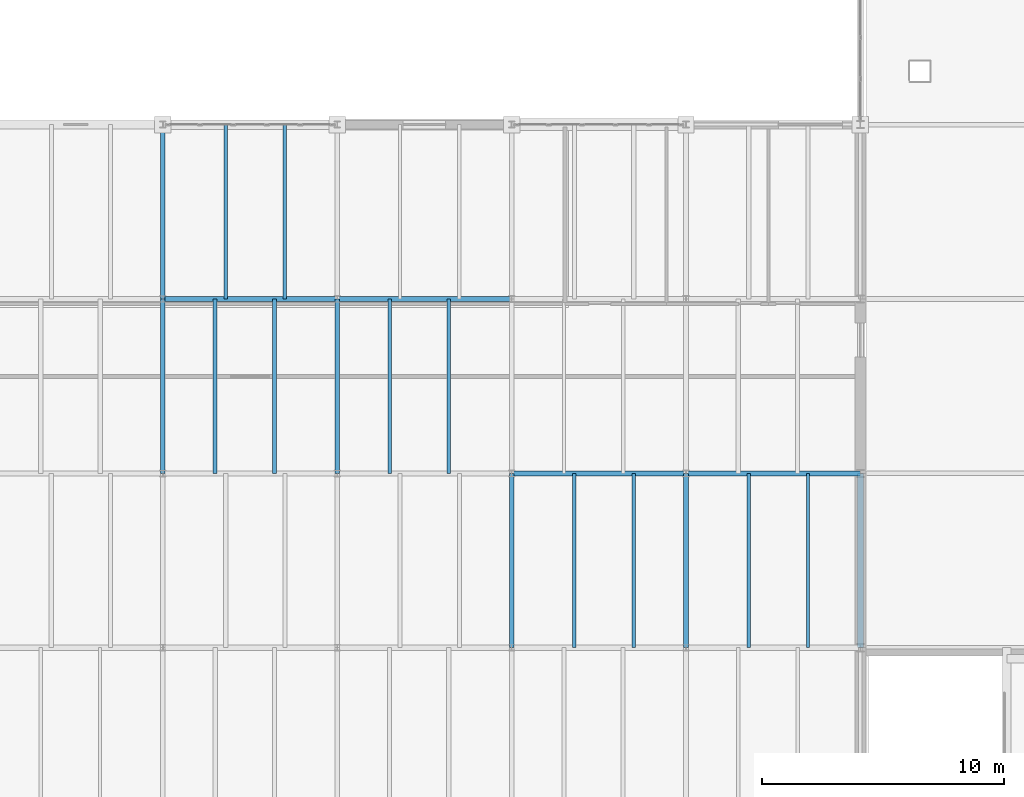
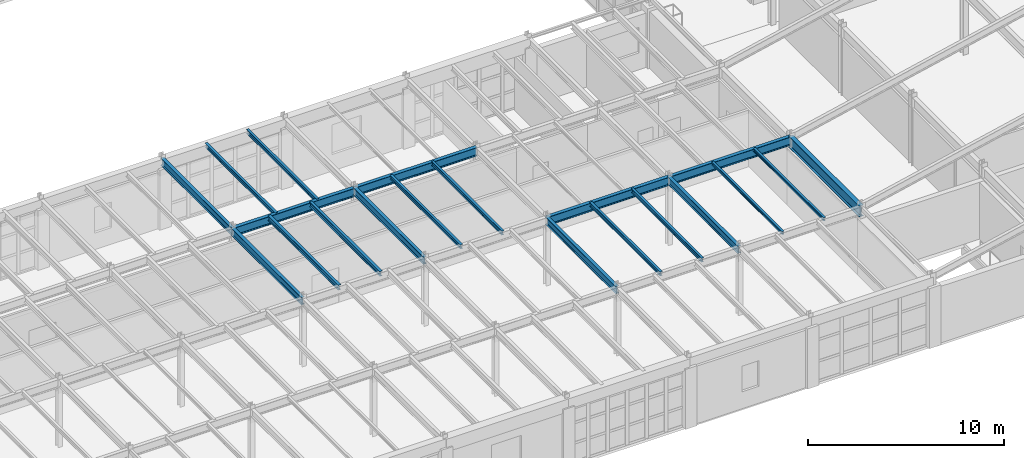
# One storey, part 71 of 137: 20 beams.
"""IFC4 building model written with IfcOpenShell, lengths in metres."""

from ifc_helpers import new_model, si_unit, direction, frame, origin, origin_2d, place, context, subcontext, project, spatial, i_section, extrude, material, material_profile, profile_set, type_object, element, save


model = new_model("IFC4")

# Units and contexts
model_context = context("Model", 3, precision=1e-05, world=origin(), true_north=direction((0.0, 1.0)))
body_context = subcontext(model_context, "Body", "Model", "MODEL_VIEW")
ifc_project = project(units=[si_unit("LENGTHUNIT", "METRE"), si_unit("AREAUNIT", "SQUARE_METRE"), si_unit("VOLUMEUNIT", "CUBIC_METRE"), si_unit("PLANEANGLEUNIT", "RADIAN"), si_unit("MASSUNIT", "GRAM", prefix="KILO")], contexts=[model_context])

# Site, building, storey
site_placement = place(None, origin())
site = spatial("IfcSite", under=ifc_project, at=site_placement, CompositionType="ELEMENT")
building_placement = place(site_placement, origin())
building = spatial("IfcBuilding", under=site, at=building_placement, Name="Kemerveld Promenade Tramway Depot", CompositionType="ELEMENT")
storey_placement = place(building_placement, frame((0.0, 0.0, 5.39990234375)))
storey = spatial("IfcBuildingStorey", under=building, at=storey_placement, Name="L01", CompositionType="ELEMENT", Elevation=5.39990234375)

# Beams
ifc_material = material(Name="Steel S355", Category="steel")
ifc_material_profile_1 = material_profile(ifc_material, i_section(OverallWidth=0.25439453125, OverallDepth=0.6875, WebThickness=0.01318359375, FlangeThickness=0.02099609375, FilletRadius=0.01513671875, at=origin_2d()), Name="686x254x152 UB")
ifc_profile_set_1 = profile_set([ifc_material_profile_1], Name="Steel S355")
beam_type_1 = type_object("IfcBeamType", Name="BM-G03", PredefinedType="BEAM", material=ifc_profile_set_1)
beam_1_placement = place(storey_placement, frame((158.39990234375, 7.199951171875, 3.91650390625), z_axis=(0.0, 1.0, 0.0), x_axis=(-1.0, 0.0, 0.0)))
element("IfcBeam", 1, at=beam_1_placement, inside=storey, type_object=beam_type_1, Name="BMY-L01-23-B-C", PredefinedType="BEAM", context=body_context, shape_type="SweptSolid", body=[
    extrude(i_section(OverallWidth=0.25439453125, OverallDepth=0.6875, WebThickness=0.01318359375, FlangeThickness=0.02099609375, FilletRadius=0.01513671875, at=origin_2d()), origin(), (0.0, 0.0, 1.0), 7.199951171875),
])
ifc_material_profile_2 = material_profile(ifc_material, i_section(OverallWidth=0.2099609375, OverallDepth=0.53662109375, WebThickness=0.0107421875, FlangeThickness=0.017333984375, FilletRadius=0.0126953125, at=origin_2d()), Name="533x210x101 UB")
ifc_profile_set_2 = profile_set([ifc_material_profile_2], Name="Steel S355")
beam_type_2 = type_object("IfcBeamType", Name="BM-G05", PredefinedType="BEAM", material=ifc_profile_set_2)
for number, where, z_axis, x_axis, name in (
    (2, (144.0, 14.39990234375, 3.99169921875), (1.0, 0.0, 0.0), (0.0, 1.0, 0.0), "BMX-L01-21-22-C"),
    (3, (151.199951171875, 14.39990234375, 3.99169921875), (1.0, 0.0, 0.0), (0.0, 1.0, 0.0), "BMX-L01-22-23-C"),
    (4, (129.60009765625, 21.60009765625, 3.981689453125), (1.0, 0.0, 0.0), (0.0, 1.0, 0.0), "BMX-L01-19-20-D"),
    (5, (136.800048828125, 21.60009765625, 3.99169921875), (1.0, 0.0, 0.0), (0.0, 1.0, 0.0), "BMX-L01-20-21-D"),
):
    element("IfcBeam", number, at=place(storey_placement, frame(where, z_axis=z_axis, x_axis=x_axis)), inside=storey, type_object=beam_type_2, Name=name, PredefinedType="BEAM", context=body_context, shape_type="SweptSolid", body=[
        extrude(i_section(OverallWidth=0.2099609375, OverallDepth=0.53662109375, WebThickness=0.0107421875, FlangeThickness=0.017333984375, FilletRadius=0.0126953125, at=origin_2d()), origin(), (0.0, 0.0, 1.0), 7.199951171875),
    ])
ifc_material_profile_3 = material_profile(ifc_material, i_section(OverallWidth=0.19140625, OverallDepth=0.4599609375, WebThickness=0.010009765625, FlangeThickness=0.01611328125, FilletRadius=0.01025390625, at=origin_2d()), Name="457x191x82 UB")
ifc_profile_set_3 = profile_set([ifc_material_profile_3], Name="Steel S355")
beam_type_3 = type_object("IfcBeamType", Name="BM-G06", PredefinedType="BEAM", material=ifc_profile_set_3)
beam_2_placement = place(storey_placement, frame((129.60009765625, 14.39990234375, 4.02001953125), z_axis=(0.0, 1.0, 0.0), x_axis=(-1.0, 0.0, 0.0)))
element("IfcBeam", 6, at=beam_2_placement, inside=storey, type_object=beam_type_3, Name="BMY-L01-19-C-D", PredefinedType="BEAM", context=body_context, shape_type="SweptSolid", body=[
    extrude(i_section(OverallWidth=0.19140625, OverallDepth=0.4599609375, WebThickness=0.010009765625, FlangeThickness=0.01611328125, FilletRadius=0.01025390625, at=origin_2d()), origin(), (0.0, 0.0, 1.0), 7.2001953125),
])
beam_3_placement = place(storey_placement, frame((129.60009765625, 21.60009765625, 4.02001953125), z_axis=(0.0, 1.0, 0.0), x_axis=(-1.0, 0.0, 0.0)))
element("IfcBeam", 7, at=beam_3_placement, inside=storey, type_object=beam_type_3, Name="BMY-L01-19-D-E", PredefinedType="BEAM", context=body_context, shape_type="SweptSolid", body=[
    extrude(i_section(OverallWidth=0.19140625, OverallDepth=0.4599609375, WebThickness=0.010009765625, FlangeThickness=0.01611328125, FilletRadius=0.01025390625, at=origin_2d()), origin(), (0.0, 0.0, 1.0), 7.199951171875),
])
beam_4_placement = place(storey_placement, frame((136.800048828125, 14.39990234375, 4.030029296875), z_axis=(0.0, 1.0, 0.0), x_axis=(-1.0, 0.0, 0.0)))
element("IfcBeam", 8, at=beam_4_placement, inside=storey, type_object=beam_type_3, Name="BMY-L01-20-C-D", PredefinedType="BEAM", context=body_context, shape_type="SweptSolid", body=[
    extrude(i_section(OverallWidth=0.19140625, OverallDepth=0.4599609375, WebThickness=0.010009765625, FlangeThickness=0.01611328125, FilletRadius=0.01025390625, at=origin_2d()), origin(), (0.0, 0.0, 1.0), 7.2001953125),
])
for number, where, z_axis, x_axis, name in (
    (9, (144.0, 7.199951171875, 4.030029296875), (0.0, 1.0, 0.0), (-1.0, 0.0, 0.0), "BMY-L01-21-B-C"),
    (10, (151.199951171875, 7.199951171875, 4.030029296875), (0.0, 1.0, 0.0), (-1.0, 0.0, 0.0), "BMY-L01-22-B-C"),
):
    element("IfcBeam", number, at=place(storey_placement, frame(where, z_axis=z_axis, x_axis=x_axis)), inside=storey, type_object=beam_type_3, Name=name, PredefinedType="BEAM", context=body_context, shape_type="SweptSolid", body=[
        extrude(i_section(OverallWidth=0.19140625, OverallDepth=0.4599609375, WebThickness=0.010009765625, FlangeThickness=0.01611328125, FilletRadius=0.01025390625, at=origin_2d()), origin(), (0.0, 0.0, 1.0), 7.199951171875),
    ])
ifc_material_profile_4 = material_profile(ifc_material, i_section(OverallWidth=0.165771484375, OverallDepth=0.306640625, WebThickness=0.006591796875, FlangeThickness=0.01171875, FilletRadius=0.0087890625, at=origin_2d()), Name="305x165x46 UB")
ifc_profile_set_4 = profile_set([ifc_material_profile_4], Name="Steel S355")
beam_type_4 = type_object("IfcBeamType", Name="BM-J01", PredefinedType="JOIST", material=ifc_profile_set_4)
for number, where, z_axis, x_axis, name in (
    (11, (131.760009765625, 14.39990234375, 4.106689453125), (0.0, 1.0, 0.0), (-1.0, 0.0, 0.0), "JST-L01-19-C-1"),
    (12, (134.2080078125, 14.39990234375, 4.106689453125), (0.0, 1.0, 0.0), (-1.0, 0.0, 0.0), "JST-L01-19-C-2"),
):
    element("IfcBeam", number, at=place(storey_placement, frame(where, z_axis=z_axis, x_axis=x_axis)), inside=storey, type_object=beam_type_4, Name=name, PredefinedType="JOIST", context=body_context, shape_type="SweptSolid", body=[
        extrude(i_section(OverallWidth=0.165771484375, OverallDepth=0.306640625, WebThickness=0.006591796875, FlangeThickness=0.01171875, FilletRadius=0.0087890625, at=origin_2d()), origin(), (0.0, 0.0, 1.0), 7.2001953125),
    ])
ifc_material_profile_5 = material_profile(ifc_material, i_section(OverallWidth=0.146484375, OverallDepth=0.256103515625, WebThickness=0.00634765625, FlangeThickness=0.010986328125, FilletRadius=0.007568359375, at=origin_2d()), Name="254x146x37 UB")
ifc_profile_set_5 = profile_set([ifc_material_profile_5], Name="Steel S355")
beam_type_5 = type_object("IfcBeamType", Name="BM-J02", PredefinedType="JOIST", material=ifc_profile_set_5)
for number, where, z_axis, x_axis, name in (
    (13, (132.19189453125, 21.60009765625, 4.132080078125), (0.0, 1.0, 0.0), (-1.0, 0.0, 0.0), "JST-L01-19-D-1"),
    (14, (134.639892578125, 21.60009765625, 4.132080078125), (0.0, 1.0, 0.0), (-1.0, 0.0, 0.0), "JST-L01-19-D-2"),
):
    element("IfcBeam", number, at=place(storey_placement, frame(where, z_axis=z_axis, x_axis=x_axis)), inside=storey, type_object=beam_type_5, Name=name, PredefinedType="JOIST", context=body_context, shape_type="SweptSolid", body=[
        extrude(i_section(OverallWidth=0.146484375, OverallDepth=0.256103515625, WebThickness=0.00634765625, FlangeThickness=0.010986328125, FilletRadius=0.007568359375, at=origin_2d()), origin(), (0.0, 0.0, 1.0), 7.199951171875),
    ])
for number, where, z_axis, x_axis, name in (
    (15, (138.9599609375, 14.39990234375, 4.132080078125), (0.0, 1.0, 0.0), (-1.0, 0.0, 0.0), "JST-L01-20-C-1"),
    (16, (141.407958984375, 14.39990234375, 4.132080078125), (0.0, 1.0, 0.0), (-1.0, 0.0, 0.0), "JST-L01-20-C-2"),
):
    element("IfcBeam", number, at=place(storey_placement, frame(where, z_axis=z_axis, x_axis=x_axis)), inside=storey, type_object=beam_type_5, Name=name, PredefinedType="JOIST", context=body_context, shape_type="SweptSolid", body=[
        extrude(i_section(OverallWidth=0.146484375, OverallDepth=0.256103515625, WebThickness=0.00634765625, FlangeThickness=0.010986328125, FilletRadius=0.007568359375, at=origin_2d()), origin(), (0.0, 0.0, 1.0), 7.2001953125),
    ])
for number, where, z_axis, x_axis, name in (
    (17, (146.592041015625, 7.199951171875, 4.132080078125), (0.0, 1.0, 0.0), (-1.0, 0.0, 0.0), "JST-L01-21-B-1"),
    (18, (149.0400390625, 7.199951171875, 4.132080078125), (0.0, 1.0, 0.0), (-1.0, 0.0, 0.0), "JST-L01-21-B-2"),
):
    element("IfcBeam", number, at=place(storey_placement, frame(where, z_axis=z_axis, x_axis=x_axis)), inside=storey, type_object=beam_type_5, Name=name, PredefinedType="JOIST", context=body_context, shape_type="SweptSolid", body=[
        extrude(i_section(OverallWidth=0.146484375, OverallDepth=0.256103515625, WebThickness=0.00634765625, FlangeThickness=0.010986328125, FilletRadius=0.007568359375, at=origin_2d()), origin(), (0.0, 0.0, 1.0), 7.199951171875),
    ])
ifc_material_profile_6 = material_profile(ifc_material, i_section(OverallWidth=0.13330078125, OverallDepth=0.203125, WebThickness=0.005615234375, FlangeThickness=0.0078125, FilletRadius=0.007568359375, at=origin_2d()), Name="203x133x25 UB")
ifc_profile_set_6 = profile_set([ifc_material_profile_6], Name="Steel S355")
beam_type_6 = type_object("IfcBeamType", Name="BM-J03", PredefinedType="JOIST", material=ifc_profile_set_6)
for number, where, z_axis, x_axis, name in (
    (19, (153.7919921875, 7.199951171875, 4.158447265625), (0.0, 1.0, 0.0), (-1.0, 0.0, 0.0), "JST-L01-22-B-1"),
    (20, (156.239990234375, 7.199951171875, 4.158447265625), (0.0, 1.0, 0.0), (-1.0, 0.0, 0.0), "JST-L01-22-B-2"),
):
    element("IfcBeam", number, at=place(storey_placement, frame(where, z_axis=z_axis, x_axis=x_axis)), inside=storey, type_object=beam_type_6, Name=name, PredefinedType="JOIST", context=body_context, shape_type="SweptSolid", body=[
        extrude(i_section(OverallWidth=0.13330078125, OverallDepth=0.203125, WebThickness=0.005615234375, FlangeThickness=0.0078125, FilletRadius=0.007568359375, at=origin_2d()), origin(), (0.0, 0.0, 1.0), 7.199951171875),
    ])

save(model, "model.ifc")
